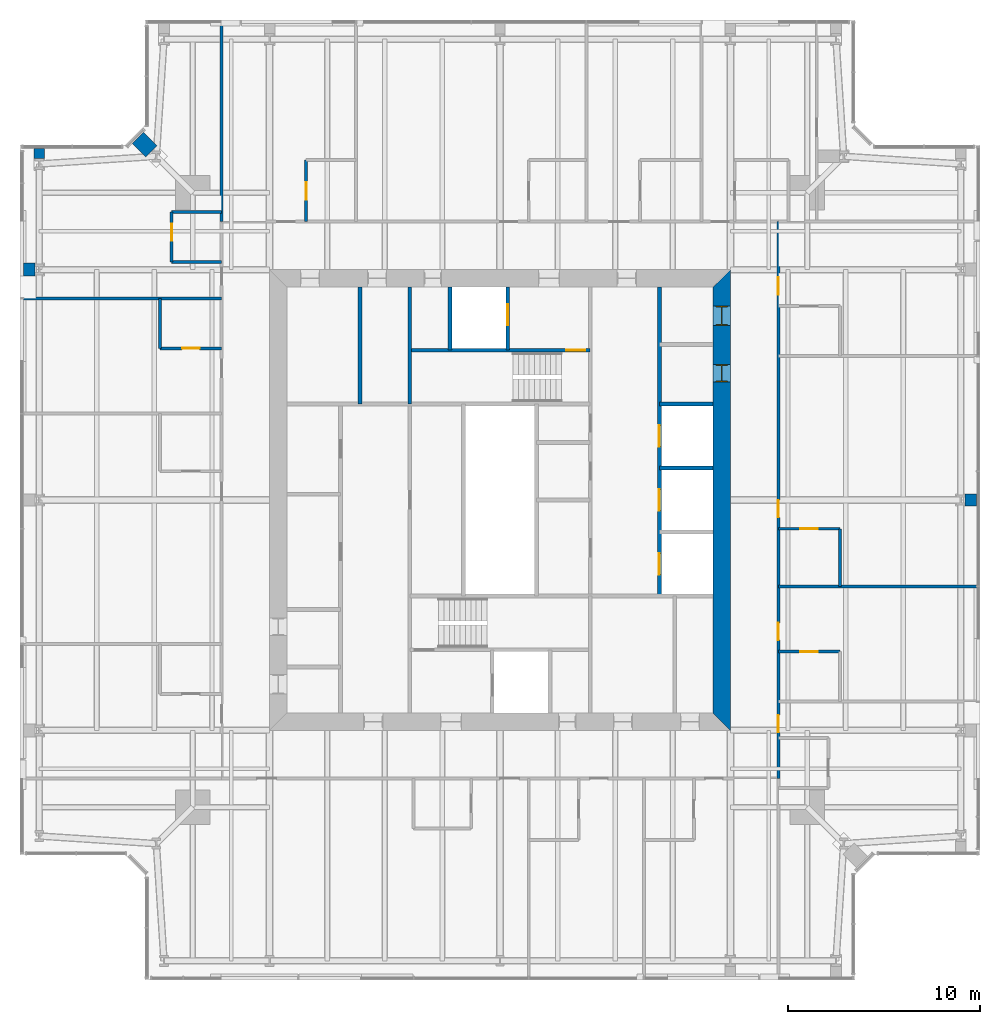
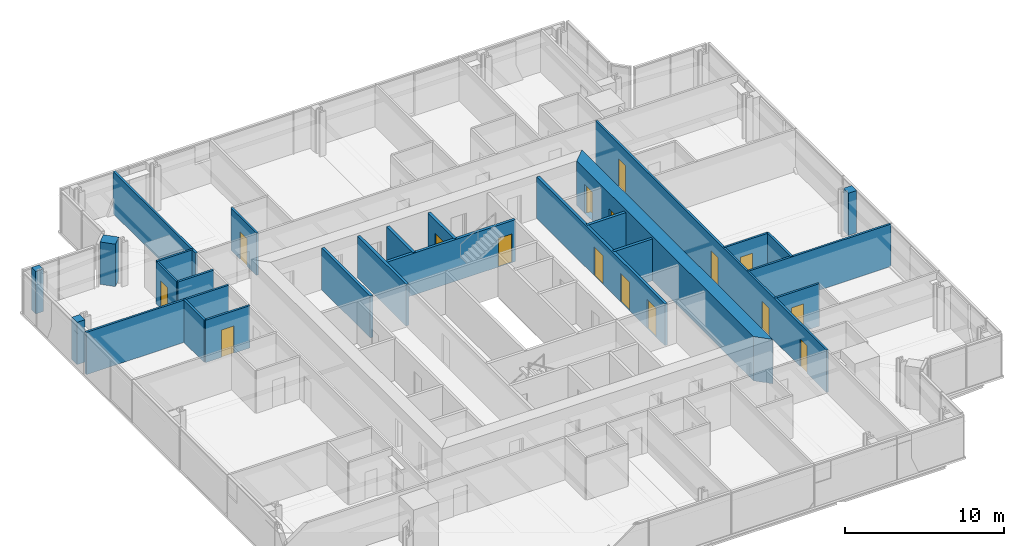
# One storey, part 13 of 18: 26 walls, 16 doors, 16 openings.
"""IFC4 building model written with IfcOpenShell, lengths in metres."""

from ifc_helpers import new_model, si_unit, direction, frame, frame_2d, origin, place, context, subcontext, project, spatial, polyline, rectangle, outline, extrude, material, layer, layer_set, type_object, element, fill, save


model = new_model("IFC4")

# Units and contexts
model_context = context("Model", 3, precision=1e-05, world=origin(), true_north=direction((0.0, 1.0)))
body_context = subcontext(model_context, "Body", "Model", "MODEL_VIEW")
ifc_project = project(units=[si_unit("LENGTHUNIT", "METRE"), si_unit("AREAUNIT", "SQUARE_METRE"), si_unit("VOLUMEUNIT", "CUBIC_METRE"), si_unit("PLANEANGLEUNIT", "RADIAN"), si_unit("MASSUNIT", "GRAM", prefix="KILO")], contexts=[model_context])

# Site, building, storey
site_placement = place(None, origin())
site = spatial("IfcSite", under=ifc_project, at=site_placement, CompositionType="ELEMENT")
building_placement = place(site_placement, origin())
building = spatial("IfcBuilding", under=site, at=building_placement, Name="Fenwick Lantern Interchange", CompositionType="ELEMENT")
storey_placement = place(building_placement, frame((0.0, 0.0, 266.199951171875)))
storey = spatial("IfcBuildingStorey", under=building, at=storey_placement, Name="L63", CompositionType="ELEMENT", Elevation=266.199951171875)

# Walls
ifc_material_1 = material(Name="Fire-rated gypsum board encasement on steel studs, 2 hour", Category="steel")
ifc_layer_1 = layer(ifc_material_1, 0.554931640625)
ifc_layer_set_1 = layer_set([ifc_layer_1], Name="COLUMN PIER 555")
wall_type_1 = type_object("IfcWallType", Name="COLUMN PIER 555", PredefinedType="PARTITIONING", material=ifc_layer_set_1)
wall_1_placement = place(storey_placement, frame((1.0, 43.31005859375, 0.0), z_axis=(0.0, 0.0, 1.0), x_axis=(0.0, -1.0, 0.0)))
element("IfcWall", 1, at=wall_1_placement, inside=storey, type_object=wall_type_1, Name="L63/W/PIER/CW1", PredefinedType="PARTITIONING", context=body_context, shape_type="SweptSolid", body=[
    extrude(rectangle(XDim=0.525634765625, YDim=0.554931640625, at=frame_2d((0.2626953125, 0.0))), origin(), (0.0, 0.0, 1.0), 3.25),
])
ifc_layer_2 = layer(ifc_material_1, 0.631103515625)
ifc_layer_set_2 = layer_set([ifc_layer_2], Name="COLUMN PIER 631")
wall_type_2 = type_object("IfcWallType", Name="COLUMN PIER 631", PredefinedType="PARTITIONING", material=ifc_layer_set_2)
wall_2_placement = place(storey_placement, frame((49.81005859375, 25.0, 0.0), z_axis=(0.0, 0.0, 1.0), x_axis=(-1.0, 0.0, 0.0)))
element("IfcWall", 2, at=wall_2_placement, inside=storey, type_object=wall_type_2, Name="L63/W/PIER/CE3", PredefinedType="PARTITIONING", context=body_context, shape_type="SweptSolid", body=[
    extrude(rectangle(XDim=0.589111328125, YDim=0.631103515625, at=frame_2d((0.29443359375, 0.0))), origin(), (0.0, 0.0, 1.0), 3.25),
])
ifc_layer_3 = layer(ifc_material_1, 0.6689453125)
ifc_layer_set_3 = layer_set([ifc_layer_3], Name="COLUMN PIER 669")
wall_type_3 = type_object("IfcWallType", Name="COLUMN PIER 669", PredefinedType="PARTITIONING", material=ifc_layer_set_3)
wall_3_placement = place(storey_placement, frame((0.18994140625, 37.0, 0.0), z_axis=(0.0, 0.0, 1.0), x_axis=(1.0, 0.0, 0.0)))
element("IfcWall", 3, at=wall_3_placement, inside=storey, type_object=wall_type_3, Name="L63/W/PIER/CW2", PredefinedType="PARTITIONING", context=body_context, shape_type="SweptSolid", body=[
    extrude(rectangle(XDim=0.582763671875, YDim=0.6689453125, at=frame_2d((0.29150390625, 0.0))), origin(), (0.0, 0.0, 1.0), 3.25),
])
ifc_layer_4 = layer(ifc_material_1, 0.823974609375)
ifc_layer_set_4 = layer_set([ifc_layer_4], Name="COLUMN PIER 824")
wall_type_4 = type_object("IfcWallType", Name="COLUMN PIER 824", PredefinedType="PARTITIONING", material=ifc_layer_set_4)
wall_4_placement = place(storey_placement, frame((6.13427734375, 43.86572265625, 0.0), z_axis=(0.0, 0.0, 1.0), x_axis=(0.707106781187, -0.707106781187, 0.0)))
element("IfcWall", 4, at=wall_4_placement, inside=storey, type_object=wall_type_4, Name="L63/W/PIER/CNR", PredefinedType="PARTITIONING", context=body_context, shape_type="SweptSolid", body=[
    extrude(rectangle(XDim=1.003662109375, YDim=0.823974609375, at=frame_2d((0.501953125, 0.0))), origin(), (0.0, 0.0, 1.0), 3.25),
])

# Wall, openings, doors
ifc_material_2 = material(Name="Concrete masonry ASTM C90 Grade N", Category="masonry")
ifc_layer_5 = layer(ifc_material_2, 0.199951171875)
ifc_layer_set_5 = layer_set([ifc_layer_5], Name="Concrete masonry ASTM C90 Grade N")
wall_type_5 = type_object("IfcWallType", Name="CORE PARTITION 200", PredefinedType="PARTITIONING", material=ifc_layer_set_5)
wall_5_placement = place(storey_placement, frame((33.300048828125, 36.10009765625, 0.0), z_axis=(0.0, 0.0, 1.0), x_axis=(0.0, -1.0, 0.0)))
wall_5 = element("IfcWall", 5, at=wall_5_placement, inside=storey, type_object=wall_type_5, Name="L63/W/COREN/a", PredefinedType="PARTITIONING", context=body_context, shape_type="SweptSolid", body=[
    extrude(rectangle(XDim=16.10009765625, YDim=0.199951171875, at=frame_2d((8.050048828125, 0.0))), origin(), (0.0, 0.0, 1.0), 3.199951171875),
])
opening_1_placement = place(wall_5_placement, frame((7.216552734375, 0.0, 0.0)))
opening_1 = element("IfcOpeningElement", 6, at=opening_1_placement, cuts=wall_5, Name="Opening LD-E1-1", PredefinedType="OPENING", context=body_context, shape_type="SweptSolid", body=[
    extrude(rectangle(XDim=1.10009765625, YDim=2.199951171875, at=frame_2d((0.550048828125, 1.10009765625))), frame((0.0, 0.10986328125, 0.0), z_axis=(0.0, -1.0, 0.0), x_axis=(1.0, 0.0, 0.0)), (0.0, 0.0, 1.0), 0.219970703125),
])
opening_2_placement = place(wall_5_placement, frame((10.550048828125, 0.0, 0.0)))
opening_2 = element("IfcOpeningElement", 7, at=opening_2_placement, cuts=wall_5, Name="Opening LD-E1-2", PredefinedType="OPENING", context=body_context, shape_type="SweptSolid", body=[
    extrude(rectangle(XDim=1.10009765625, YDim=2.199951171875, at=frame_2d((0.550048828125, 1.10009765625))), frame((0.0, 0.10986328125, 0.0), z_axis=(0.0, -1.0, 0.0), x_axis=(1.0, 0.0, 0.0)), (0.0, 0.0, 1.0), 0.219970703125),
])
opening_3_placement = place(wall_5_placement, frame((13.88330078125, 0.0, 0.0)))
opening_3 = element("IfcOpeningElement", 8, at=opening_3_placement, cuts=wall_5, Name="Opening LD-E1-3", PredefinedType="OPENING", context=body_context, shape_type="SweptSolid", body=[
    extrude(rectangle(XDim=1.10009765625, YDim=2.199951171875, at=frame_2d((0.550048828125, 1.10009765625))), frame((0.0, 0.10986328125, 0.0), z_axis=(0.0, -1.0, 0.0), x_axis=(1.0, 0.0, 0.0)), (0.0, 0.0, 1.0), 0.219970703125),
])
ifc_material_3 = material(Name="Steel door and frame", Category="steel")
door_type_1 = type_object("IfcDoorType", Name="LIFT LANDING DOOR 1100 X 2200", OperationType="DOUBLE_DOOR_SLIDING", PredefinedType="DOOR", material=ifc_material_3)
door_1_placement = place(opening_1_placement, origin())
door_1 = element("IfcDoor", 9, at=door_1_placement, inside=storey, type_object=door_type_1, Name="Lift landing door E1-1", OperationType="DOUBLE_DOOR_SLIDING", OverallHeight=2.199951171875, OverallWidth=1.10009765625, PredefinedType="DOOR", context=body_context, shape_type="SweptSolid", body=[
    extrude(rectangle(XDim=1.10009765625, YDim=2.199951171875, at=frame_2d((0.550048828125, 1.10009765625))), frame((0.0, 0.02490234375, 0.0), z_axis=(0.0, -1.0, 0.0), x_axis=(1.0, 0.0, 0.0)), (0.0, 0.0, 1.0), 0.050048828125),
])
fill(opening_1, door_1)
door_2_placement = place(opening_2_placement, origin())
door_2 = element("IfcDoor", 10, at=door_2_placement, inside=storey, type_object=door_type_1, Name="Lift landing door E1-2", OperationType="DOUBLE_DOOR_SLIDING", OverallHeight=2.199951171875, OverallWidth=1.10009765625, PredefinedType="DOOR", context=body_context, shape_type="SweptSolid", body=[
    extrude(rectangle(XDim=1.10009765625, YDim=2.199951171875, at=frame_2d((0.550048828125, 1.10009765625))), frame((0.0, 0.02490234375, 0.0), z_axis=(0.0, -1.0, 0.0), x_axis=(1.0, 0.0, 0.0)), (0.0, 0.0, 1.0), 0.050048828125),
])
fill(opening_2, door_2)
door_3_placement = place(opening_3_placement, origin())
door_3 = element("IfcDoor", 11, at=door_3_placement, inside=storey, type_object=door_type_1, Name="Lift landing door E1-3", OperationType="DOUBLE_DOOR_SLIDING", OverallHeight=2.199951171875, OverallWidth=1.10009765625, PredefinedType="DOOR", context=body_context, shape_type="SweptSolid", body=[
    extrude(rectangle(XDim=1.10009765625, YDim=2.199951171875, at=frame_2d((0.550048828125, 1.10009765625))), frame((0.0, 0.02490234375, 0.0), z_axis=(0.0, -1.0, 0.0), x_axis=(1.0, 0.0, 0.0)), (0.0, 0.0, 1.0), 0.050048828125),
])
fill(opening_3, door_3)

# Walls
for number, where, z_axis, x_axis, name in (
    (12, (36.10009765625, 30.0, 0.0), (0.0, 0.0, 1.0), (-1.0, 0.0, 0.0), "L63/W/COREN/c2"),
    (13, (36.10009765625, 26.666748046875, 0.0), (0.0, 0.0, 1.0), (-1.0, 0.0, 0.0), "L63/W/COREN/d1"),
):
    element("IfcWall", number, at=place(storey_placement, frame(where, z_axis=z_axis, x_axis=x_axis)), inside=storey, type_object=wall_type_5, Name=name, PredefinedType="PARTITIONING", context=body_context, shape_type="SweptSolid", body=[
        extrude(rectangle(XDim=2.800048828125, YDim=0.199951171875, at=frame_2d((1.39990234375, 0.0))), origin(), (0.0, 0.0, 1.0), 3.199951171875),
    ])

# Wall, opening, door
wall_6_placement = place(storey_placement, frame((25.39990234375, 36.10009765625, 0.0), z_axis=(0.0, 0.0, 1.0), x_axis=(0.0, -1.0, 0.0)))
wall_6 = element("IfcWall", 14, at=wall_6_placement, inside=storey, type_object=wall_type_5, Name="L63/W/COREN/h1", PredefinedType="PARTITIONING", context=body_context, shape_type="SweptSolid", body=[
    extrude(rectangle(XDim=3.300048828125, YDim=0.199951171875, at=frame_2d((1.64990234375, 0.0))), origin(), (0.0, 0.0, 1.0), 3.199951171875),
])
opening_4_placement = place(wall_6_placement, frame((0.89990234375, 0.0, 0.0)))
opening_4 = element("IfcOpeningElement", 15, at=opening_4_placement, cuts=wall_6, Name="Opening LD-FL2", PredefinedType="OPENING", context=body_context, shape_type="SweptSolid", body=[
    extrude(rectangle(XDim=1.10009765625, YDim=2.199951171875, at=frame_2d((0.550048828125, 1.10009765625))), frame((0.0, 0.10986328125, 0.0), z_axis=(0.0, -1.0, 0.0), x_axis=(1.0, 0.0, 0.0)), (0.0, 0.0, 1.0), 0.219970703125),
])
door_4_placement = place(opening_4_placement, origin())
door_4 = element("IfcDoor", 16, at=door_4_placement, inside=storey, type_object=door_type_1, Name="Lift landing door FL2", OperationType="DOUBLE_DOOR_SLIDING", OverallHeight=2.199951171875, OverallWidth=1.10009765625, PredefinedType="DOOR", context=body_context, shape_type="SweptSolid", body=[
    extrude(rectangle(XDim=1.10009765625, YDim=2.199951171875, at=frame_2d((0.550048828125, 1.10009765625))), frame((0.0, 0.02490234375, 0.0), z_axis=(0.0, -1.0, 0.0), x_axis=(1.0, 0.0, 0.0)), (0.0, 0.0, 1.0), 0.050048828125),
])
fill(opening_4, door_4)

# Walls
wall_7_placement = place(storey_placement, frame((22.39990234375, 36.10009765625, 0.0), z_axis=(0.0, 0.0, 1.0), x_axis=(0.0, -1.0, 0.0)))
element("IfcWall", 17, at=wall_7_placement, inside=storey, type_object=wall_type_5, Name="L63/W/COREN/h2", PredefinedType="PARTITIONING", context=body_context, shape_type="SweptSolid", body=[
    extrude(rectangle(XDim=3.300048828125, YDim=0.199951171875, at=frame_2d((1.64990234375, 0.0))), origin(), (0.0, 0.0, 1.0), 3.199951171875),
])
wall_8_placement = place(storey_placement, frame((17.699951171875, 36.10009765625, 0.0), z_axis=(0.0, 0.0, 1.0), x_axis=(0.0, -1.0, 0.0)))
element("IfcWall", 18, at=wall_8_placement, inside=storey, type_object=wall_type_5, Name="L63/W/COREN/i2", PredefinedType="PARTITIONING", context=body_context, shape_type="SweptSolid", body=[
    extrude(rectangle(XDim=6.10009765625, YDim=0.199951171875, at=frame_2d((3.050048828125, 0.0))), origin(), (0.0, 0.0, 1.0), 3.199951171875),
])

# Wall, openings, doors
ifc_material_4 = material(Name="Concrete f'c 70 MPa", Category="concrete")
ifc_layer_6 = layer(ifc_material_4, 0.89990234375)
ifc_layer_set_6 = layer_set([ifc_layer_6], Name="CORE WALL 900")
wall_type_6 = type_object("IfcWallType", Name="CORE WALL 900", PredefinedType="SHEAR", material=ifc_layer_set_6)
wall_9_placement = place(storey_placement, frame((36.550048828125, 13.89990234375, 0.0), z_axis=(0.0, 0.0, 1.0), x_axis=(0.0, 1.0, 0.0)))
wall_9 = element("IfcWall", 19, at=wall_9_placement, inside=storey, type_object=wall_type_6, Name="L63/CORE/E", PredefinedType="SHEAR", context=body_context, shape_type="SweptSolid", body=[
    extrude(outline(polyline([(-0.89990234375, -0.449951171875), (23.10009765625, -0.449951171875), (22.199951171875, 0.449951171875), (0.0, 0.449951171875), (-0.89990234375, -0.449951171875)])), origin(), (0.0, 0.0, 1.0), 3.400146484375),
])
opening_5_placement = place(wall_9_placement, frame((20.199951171875, 0.0, 0.0)))
opening_5 = element("IfcOpeningElement", 20, at=opening_5_placement, cuts=wall_9, Name="Opening L63-D018", PredefinedType="OPENING", context=body_context, shape_type="SweptSolid", body=[
    extrude(rectangle(XDim=1.0, YDim=2.199951171875, at=frame_2d((0.5, 1.10009765625))), frame((0.0, 0.4599609375, 0.0), z_axis=(0.0, -1.0, 0.0), x_axis=(1.0, 0.0, 0.0)), (0.0, 0.0, 1.0), 0.919921875),
])
opening_6_placement = place(wall_9_placement, frame((17.25, 0.0, 0.0)))
opening_6 = element("IfcOpeningElement", 21, at=opening_6_placement, cuts=wall_9, Name="Opening L63-D019", PredefinedType="OPENING", context=body_context, shape_type="SweptSolid", body=[
    extrude(rectangle(XDim=0.89990234375, YDim=2.199951171875, at=frame_2d((0.449951171875, 1.10009765625))), frame((0.0, 0.4599609375, 0.0), z_axis=(0.0, -1.0, 0.0), x_axis=(1.0, 0.0, 0.0)), (0.0, 0.0, 1.0), 0.919921875),
])
door_type_2 = type_object("IfcDoorType", Name="SERVICE DOOR 900 X 2200", OperationType="SINGLE_SWING_LEFT", PredefinedType="DOOR", material=ifc_material_3)
door_5_placement = place(opening_6_placement, origin())
door_5 = element("IfcDoor", 22, at=door_5_placement, inside=storey, type_object=door_type_2, Name="Service door", OperationType="SINGLE_SWING_RIGHT", OverallHeight=2.199951171875, OverallWidth=0.89990234375, PredefinedType="DOOR", context=body_context, shape_type="SweptSolid", body=[
    extrude(rectangle(XDim=0.89990234375, YDim=2.199951171875, at=frame_2d((0.449951171875, 1.10009765625))), frame((0.0, 0.02490234375, 0.0), z_axis=(0.0, -1.0, 0.0), x_axis=(1.0, 0.0, 0.0)), (0.0, 0.0, 1.0), 0.050048828125),
    extrude(outline(polyline([(0.0, 0.0), (0.0400390625, 0.0), (0.0400390625, 2.159912109375), (0.85986328125, 2.159912109375), (0.85986328125, 0.0), (0.89990234375, 0.0), (0.89990234375, 2.199951171875), (0.0, 2.199951171875), (0.0, 0.0)])), frame((0.0, 0.300048828125, 0.0), z_axis=(0.0, -1.0, 0.0), x_axis=(1.0, 0.0, 0.0)), (0.0, 0.0, 1.0), 0.60009765625),
])
fill(opening_6, door_5)
ifc_material_5 = material(Name="Hardwood door and steel frame", Category="steel")
door_type_3 = type_object("IfcDoorType", Name="WC DOOR 1000 X 2200", OperationType="SINGLE_SWING_LEFT", PredefinedType="DOOR", material=ifc_material_5)
door_6_placement = place(opening_5_placement, origin())
door_6 = element("IfcDoor", 23, at=door_6_placement, inside=storey, type_object=door_type_3, Name="Wc door", OperationType="SINGLE_SWING_LEFT", OverallHeight=2.199951171875, OverallWidth=1.0, PredefinedType="DOOR", context=body_context, shape_type="SweptSolid", body=[
    extrude(rectangle(XDim=1.0, YDim=2.199951171875, at=frame_2d((0.5, 1.10009765625))), frame((0.0, 0.02490234375, 0.0), z_axis=(0.0, -1.0, 0.0), x_axis=(1.0, 0.0, 0.0)), (0.0, 0.0, 1.0), 0.050048828125),
    extrude(outline(polyline([(0.0, 0.0), (0.0400390625, 0.0), (0.0400390625, 2.159912109375), (0.9599609375, 2.159912109375), (0.9599609375, 0.0), (1.0, 0.0), (1.0, 2.199951171875), (0.0, 2.199951171875), (0.0, 0.0)])), frame((0.0, 0.300048828125, 0.0), z_axis=(0.0, -1.0, 0.0), x_axis=(1.0, 0.0, 0.0)), (0.0, 0.0, 1.0), 0.60009765625),
])
fill(opening_5, door_6)

ifc_material_6 = material(Name="Gypsum board on steel studs, 1 hour", Category="steel")
ifc_layer_7 = layer(ifc_material_6, 0.14990234375)
ifc_layer_set_7 = layer_set([ifc_layer_7], Name="CORRIDOR WALL 150")
wall_type_7 = type_object("IfcWallType", Name="CORRIDOR WALL 150", PredefinedType="PARTITIONING", material=ifc_layer_set_7)
wall_10_placement = place(storey_placement, frame((39.5, 10.5, 0.0), z_axis=(0.0, 0.0, 1.0), x_axis=(0.0, 1.0, 0.0)))
wall_10 = element("IfcWall", 24, at=wall_10_placement, inside=storey, type_object=wall_type_7, Name="L63/W/HOTEL/E/CW", PredefinedType="PARTITIONING", context=body_context, shape_type="SweptSolid", body=[
    extrude(rectangle(XDim=29.0, YDim=0.14990234375, at=frame_2d((14.5, 0.0))), origin(), (0.0, 0.0, 1.0), 3.25),
])
opening_7_placement = place(wall_10_placement, frame((2.39990234375, 0.0, 0.0)))
opening_7 = element("IfcOpeningElement", 25, at=opening_7_placement, cuts=wall_10, Name="Opening L63-D030", PredefinedType="OPENING", context=body_context, shape_type="SweptSolid", body=[
    extrude(rectangle(XDim=0.89990234375, YDim=2.10009765625, at=frame_2d((0.449951171875, 1.050048828125))), frame((0.0, 0.0849609375, 0.0), z_axis=(0.0, -1.0, 0.0), x_axis=(1.0, 0.0, 0.0)), (0.0, 0.0, 1.0), 0.169921875),
])
opening_8_placement = place(wall_10_placement, frame((7.199951171875, 0.0, 0.0)))
opening_8 = element("IfcOpeningElement", 26, at=opening_8_placement, cuts=wall_10, Name="Opening L63-D033", PredefinedType="OPENING", context=body_context, shape_type="SweptSolid", body=[
    extrude(rectangle(XDim=0.89990234375, YDim=2.10009765625, at=frame_2d((0.449951171875, 1.050048828125))), frame((0.0, 0.0849609375, 0.0), z_axis=(0.0, -1.0, 0.0), x_axis=(1.0, 0.0, 0.0)), (0.0, 0.0, 1.0), 0.169921875),
])
opening_9_placement = place(wall_10_placement, frame((13.60009765625, 0.0, 0.0)))
opening_9 = element("IfcOpeningElement", 27, at=opening_9_placement, cuts=wall_10, Name="Opening L63-D035", PredefinedType="OPENING", context=body_context, shape_type="SweptSolid", body=[
    extrude(rectangle(XDim=0.89990234375, YDim=2.10009765625, at=frame_2d((0.449951171875, 1.050048828125))), frame((0.0, 0.0849609375, 0.0), z_axis=(0.0, -1.0, 0.0), x_axis=(1.0, 0.0, 0.0)), (0.0, 0.0, 1.0), 0.169921875),
])
opening_10_placement = place(wall_10_placement, frame((25.199951171875, 0.0, 0.0)))
opening_10 = element("IfcOpeningElement", 28, at=opening_10_placement, cuts=wall_10, Name="Opening L63-D037", PredefinedType="OPENING", context=body_context, shape_type="SweptSolid", body=[
    extrude(rectangle(XDim=0.89990234375, YDim=2.10009765625, at=frame_2d((0.449951171875, 1.050048828125))), frame((0.0, 0.0849609375, 0.0), z_axis=(0.0, -1.0, 0.0), x_axis=(1.0, 0.0, 0.0)), (0.0, 0.0, 1.0), 0.169921875),
])
door_type_4 = type_object("IfcDoorType", Name="GUEST ROOM DOOR 900 X 2100", OperationType="SINGLE_SWING_LEFT", PredefinedType="DOOR", material=ifc_material_3)
door_7_placement = place(opening_7_placement, frame((0.89990234375, 0.0, 0.0), z_axis=(0.0, 0.0, 1.0), x_axis=(-1.0, 0.0, 0.0)))
door_7 = element("IfcDoor", 29, at=door_7_placement, inside=storey, type_object=door_type_4, Name="Guest room door", OperationType="SINGLE_SWING_RIGHT", OverallHeight=2.10009765625, OverallWidth=0.89990234375, PredefinedType="DOOR", context=body_context, shape_type="SweptSolid", body=[
    extrude(rectangle(XDim=0.89990234375, YDim=2.10009765625, at=frame_2d((0.449951171875, 1.050048828125))), frame((0.0, 0.02490234375, 0.0), z_axis=(0.0, -1.0, 0.0), x_axis=(1.0, 0.0, 0.0)), (0.0, 0.0, 1.0), 0.050048828125),
])
fill(opening_7, door_7)
door_8_placement = place(opening_8_placement, frame((0.89990234375, 0.0, 0.0), z_axis=(0.0, 0.0, 1.0), x_axis=(-1.0, 0.0, 0.0)))
door_8 = element("IfcDoor", 30, at=door_8_placement, inside=storey, type_object=door_type_4, Name="Guest room door", OperationType="SINGLE_SWING_RIGHT", OverallHeight=2.10009765625, OverallWidth=0.89990234375, PredefinedType="DOOR", context=body_context, shape_type="SweptSolid", body=[
    extrude(rectangle(XDim=0.89990234375, YDim=2.10009765625, at=frame_2d((0.449951171875, 1.050048828125))), frame((0.0, 0.02490234375, 0.0), z_axis=(0.0, -1.0, 0.0), x_axis=(1.0, 0.0, 0.0)), (0.0, 0.0, 1.0), 0.050048828125),
])
fill(opening_8, door_8)
door_9_placement = place(opening_9_placement, frame((0.89990234375, 0.0, 0.0), z_axis=(0.0, 0.0, 1.0), x_axis=(-1.0, 0.0, 0.0)))
door_9 = element("IfcDoor", 31, at=door_9_placement, inside=storey, type_object=door_type_4, Name="Guest room door", OperationType="SINGLE_SWING_RIGHT", OverallHeight=2.10009765625, OverallWidth=0.89990234375, PredefinedType="DOOR", context=body_context, shape_type="SweptSolid", body=[
    extrude(rectangle(XDim=0.89990234375, YDim=2.10009765625, at=frame_2d((0.449951171875, 1.050048828125))), frame((0.0, 0.02490234375, 0.0), z_axis=(0.0, -1.0, 0.0), x_axis=(1.0, 0.0, 0.0)), (0.0, 0.0, 1.0), 0.050048828125),
])
fill(opening_9, door_9)
door_10_placement = place(opening_10_placement, frame((0.89990234375, 0.0, 0.0), z_axis=(0.0, 0.0, 1.0), x_axis=(-1.0, 0.0, 0.0)))
door_10 = element("IfcDoor", 32, at=door_10_placement, inside=storey, type_object=door_type_4, Name="Guest room door", OperationType="SINGLE_SWING_RIGHT", OverallHeight=2.10009765625, OverallWidth=0.89990234375, PredefinedType="DOOR", context=body_context, shape_type="SweptSolid", body=[
    extrude(rectangle(XDim=0.89990234375, YDim=2.10009765625, at=frame_2d((0.449951171875, 1.050048828125))), frame((0.0, 0.02490234375, 0.0), z_axis=(0.0, -1.0, 0.0), x_axis=(1.0, 0.0, 0.0)), (0.0, 0.0, 1.0), 0.050048828125),
])
fill(opening_10, door_10)

# Wall, opening, door
ifc_material_7 = material(Name="Gypsum board on steel studs, moisture resistant", Category="steel")
ifc_layer_8 = layer(ifc_material_7, 0.14990234375)
ifc_layer_set_8 = layer_set([ifc_layer_8], Name="EN-SUITE WALL 150")
wall_type_8 = type_object("IfcWallType", Name="EN-SUITE WALL 150", PredefinedType="PARTITIONING", material=ifc_layer_set_8)
wall_11_placement = place(storey_placement, frame((42.699951171875, 17.10009765625, 0.0), z_axis=(0.0, 0.0, 1.0), x_axis=(-1.0, 0.0, 0.0)))
wall_11 = element("IfcWall", 33, at=wall_11_placement, inside=storey, type_object=wall_type_8, Name="L63/W/HOTEL/E/U2BX", PredefinedType="PARTITIONING", context=body_context, shape_type="SweptSolid", body=[
    extrude(rectangle(XDim=3.199951171875, YDim=0.14990234375, at=frame_2d((1.60009765625, 0.0))), origin(), (0.0, 0.0, 1.0), 3.25),
])
opening_11_placement = place(wall_11_placement, frame((1.14990234375, 0.0, 0.0)))
opening_11 = element("IfcOpeningElement", 34, at=opening_11_placement, cuts=wall_11, Name="Opening L63-D032", PredefinedType="OPENING", context=body_context, shape_type="SweptSolid", body=[
    extrude(rectangle(XDim=0.89990234375, YDim=2.10009765625, at=frame_2d((0.449951171875, 1.050048828125))), frame((0.0, 0.0849609375, 0.0), z_axis=(0.0, -1.0, 0.0), x_axis=(1.0, 0.0, 0.0)), (0.0, 0.0, 1.0), 0.169921875),
])
door_type_5 = type_object("IfcDoorType", Name="EN-SUITE DOOR 900 X 2100", OperationType="SINGLE_SWING_LEFT", PredefinedType="DOOR", material=ifc_material_5)
door_11_placement = place(opening_11_placement, origin())
door_11 = element("IfcDoor", 35, at=door_11_placement, inside=storey, type_object=door_type_5, Name="En-suite door", OperationType="SINGLE_SWING_LEFT", OverallHeight=2.10009765625, OverallWidth=0.89990234375, PredefinedType="DOOR", context=body_context, shape_type="SweptSolid", body=[
    extrude(rectangle(XDim=0.89990234375, YDim=2.10009765625, at=frame_2d((0.449951171875, 1.050048828125))), frame((0.0, 0.02490234375, 0.0), z_axis=(0.0, -1.0, 0.0), x_axis=(1.0, 0.0, 0.0)), (0.0, 0.0, 1.0), 0.050048828125),
])
fill(opening_11, door_11)

# Wall
wall_12_placement = place(storey_placement, frame((42.699951171875, 20.5, 0.0), z_axis=(0.0, 0.0, 1.0), x_axis=(0.0, 1.0, 0.0)))
element("IfcWall", 36, at=wall_12_placement, inside=storey, type_object=wall_type_8, Name="L63/W/HOTEL/E/U3BW", PredefinedType="PARTITIONING", context=body_context, shape_type="SweptSolid", body=[
    extrude(rectangle(XDim=3.0, YDim=0.14990234375, at=frame_2d((1.5, 0.0))), origin(), (0.0, 0.0, 1.0), 3.25),
])

# Wall, opening, door
wall_13_placement = place(storey_placement, frame((42.699951171875, 23.5, 0.0), z_axis=(0.0, 0.0, 1.0), x_axis=(-1.0, 0.0, 0.0)))
wall_13 = element("IfcWall", 37, at=wall_13_placement, inside=storey, type_object=wall_type_8, Name="L63/W/HOTEL/E/U3BX", PredefinedType="PARTITIONING", context=body_context, shape_type="SweptSolid", body=[
    extrude(rectangle(XDim=3.199951171875, YDim=0.14990234375, at=frame_2d((1.60009765625, 0.0))), origin(), (0.0, 0.0, 1.0), 3.25),
])
opening_12_placement = place(wall_13_placement, frame((1.14990234375, 0.0, 0.0)))
opening_12 = element("IfcOpeningElement", 38, at=opening_12_placement, cuts=wall_13, Name="Opening L63-D034", PredefinedType="OPENING", context=body_context, shape_type="SweptSolid", body=[
    extrude(rectangle(XDim=0.89990234375, YDim=2.10009765625, at=frame_2d((0.449951171875, 1.050048828125))), frame((0.0, 0.0849609375, 0.0), z_axis=(0.0, -1.0, 0.0), x_axis=(1.0, 0.0, 0.0)), (0.0, 0.0, 1.0), 0.169921875),
])
door_12_placement = place(opening_12_placement, origin())
door_12 = element("IfcDoor", 39, at=door_12_placement, inside=storey, type_object=door_type_5, Name="En-suite door", OperationType="SINGLE_SWING_LEFT", OverallHeight=2.10009765625, OverallWidth=0.89990234375, PredefinedType="DOOR", context=body_context, shape_type="SweptSolid", body=[
    extrude(rectangle(XDim=0.89990234375, YDim=2.10009765625, at=frame_2d((0.449951171875, 1.050048828125))), frame((0.0, 0.02490234375, 0.0), z_axis=(0.0, -1.0, 0.0), x_axis=(1.0, 0.0, 0.0)), (0.0, 0.0, 1.0), 0.050048828125),
])
fill(opening_12, door_12)

wall_14_placement = place(storey_placement, frame((14.89990234375, 42.699951171875, 0.0), z_axis=(0.0, 0.0, 1.0), x_axis=(0.0, -1.0, 0.0)))
wall_14 = element("IfcWall", 40, at=wall_14_placement, inside=storey, type_object=wall_type_8, Name="L63/W/HOTEL/N/U4BX", PredefinedType="PARTITIONING", context=body_context, shape_type="SweptSolid", body=[
    extrude(rectangle(XDim=3.199951171875, YDim=0.14990234375, at=frame_2d((1.60009765625, 0.0))), origin(), (0.0, 0.0, 1.0), 3.25),
])
opening_13_placement = place(wall_14_placement, frame((1.14990234375, 0.0, 0.0)))
opening_13 = element("IfcOpeningElement", 41, at=opening_13_placement, cuts=wall_14, Name="Opening L63-D045", PredefinedType="OPENING", context=body_context, shape_type="SweptSolid", body=[
    extrude(rectangle(XDim=0.89990234375, YDim=2.10009765625, at=frame_2d((0.449951171875, 1.050048828125))), frame((0.0, 0.0849609375, 0.0), z_axis=(0.0, -1.0, 0.0), x_axis=(1.0, 0.0, 0.0)), (0.0, 0.0, 1.0), 0.169921875),
])
door_13_placement = place(opening_13_placement, origin())
door_13 = element("IfcDoor", 42, at=door_13_placement, inside=storey, type_object=door_type_5, Name="En-suite door", OperationType="SINGLE_SWING_LEFT", OverallHeight=2.10009765625, OverallWidth=0.89990234375, PredefinedType="DOOR", context=body_context, shape_type="SweptSolid", body=[
    extrude(rectangle(XDim=0.89990234375, YDim=2.10009765625, at=frame_2d((0.449951171875, 1.050048828125))), frame((0.0, 0.02490234375, 0.0), z_axis=(0.0, -1.0, 0.0), x_axis=(1.0, 0.0, 0.0)), (0.0, 0.0, 1.0), 0.050048828125),
])
fill(opening_13, door_13)

wall_15_placement = place(storey_placement, frame((7.89990234375, 40.0, 0.0), z_axis=(0.0, 0.0, 1.0), x_axis=(0.0, -1.0, 0.0)))
wall_15 = element("IfcWall", 43, at=wall_15_placement, inside=storey, type_object=wall_type_8, Name="L63/W/HOTEL/W/U1BW", PredefinedType="PARTITIONING", context=body_context, shape_type="SweptSolid", body=[
    extrude(rectangle(XDim=2.60009765625, YDim=0.14990234375, at=frame_2d((1.300048828125, 0.0))), origin(), (0.0, 0.0, 1.0), 3.25),
])
opening_14_placement = place(wall_15_placement, frame((0.60009765625, 0.0, 0.0)))
opening_14 = element("IfcOpeningElement", 44, at=opening_14_placement, cuts=wall_15, Name="Opening L63-D048", PredefinedType="OPENING", context=body_context, shape_type="SweptSolid", body=[
    extrude(rectangle(XDim=0.89990234375, YDim=2.10009765625, at=frame_2d((0.449951171875, 1.050048828125))), frame((0.0, 0.0849609375, 0.0), z_axis=(0.0, -1.0, 0.0), x_axis=(1.0, 0.0, 0.0)), (0.0, 0.0, 1.0), 0.169921875),
])
door_14_placement = place(opening_14_placement, origin())
door_14 = element("IfcDoor", 45, at=door_14_placement, inside=storey, type_object=door_type_5, Name="En-suite door", OperationType="SINGLE_SWING_LEFT", OverallHeight=2.10009765625, OverallWidth=0.89990234375, PredefinedType="DOOR", context=body_context, shape_type="SweptSolid", body=[
    extrude(rectangle(XDim=0.89990234375, YDim=2.10009765625, at=frame_2d((0.449951171875, 1.050048828125))), frame((0.0, 0.02490234375, 0.0), z_axis=(0.0, -1.0, 0.0), x_axis=(1.0, 0.0, 0.0)), (0.0, 0.0, 1.0), 0.050048828125),
])
fill(opening_14, door_14)

# Walls
for number, where, z_axis, x_axis, name in (
    (46, (7.89990234375, 40.0, 0.0), (0.0, 0.0, 1.0), (1.0, 0.0, 0.0), "L63/W/HOTEL/W/U1BX"),
    (47, (7.89990234375, 37.39990234375, 0.0), (0.0, 0.0, 1.0), (1.0, 0.0, 0.0), "L63/W/HOTEL/W/U1BE"),
    (48, (7.300048828125, 35.5, 0.0), (0.0, 0.0, 1.0), (0.0, -1.0, 0.0), "L63/W/HOTEL/W/U2BW"),
):
    element("IfcWall", number, at=place(storey_placement, frame(where, z_axis=z_axis, x_axis=x_axis)), inside=storey, type_object=wall_type_8, Name=name, PredefinedType="PARTITIONING", context=body_context, shape_type="SweptSolid", body=[
        extrude(rectangle(XDim=2.60009765625, YDim=0.14990234375, at=frame_2d((1.300048828125, 0.0))), origin(), (0.0, 0.0, 1.0), 3.25),
    ])

# Wall, opening, door
wall_16_placement = place(storey_placement, frame((7.300048828125, 32.89990234375, 0.0), z_axis=(0.0, 0.0, 1.0), x_axis=(1.0, 0.0, 0.0)))
wall_16 = element("IfcWall", 49, at=wall_16_placement, inside=storey, type_object=wall_type_8, Name="L63/W/HOTEL/W/U2BX", PredefinedType="PARTITIONING", context=body_context, shape_type="SweptSolid", body=[
    extrude(rectangle(XDim=3.199951171875, YDim=0.14990234375, at=frame_2d((1.60009765625, 0.0))), origin(), (0.0, 0.0, 1.0), 3.25),
])
opening_15_placement = place(wall_16_placement, frame((1.14990234375, 0.0, 0.0)))
opening_15 = element("IfcOpeningElement", 50, at=opening_15_placement, cuts=wall_16, Name="Opening L63-D049", PredefinedType="OPENING", context=body_context, shape_type="SweptSolid", body=[
    extrude(rectangle(XDim=0.89990234375, YDim=2.10009765625, at=frame_2d((0.449951171875, 1.050048828125))), frame((0.0, 0.0849609375, 0.0), z_axis=(0.0, -1.0, 0.0), x_axis=(1.0, 0.0, 0.0)), (0.0, 0.0, 1.0), 0.169921875),
])
door_15_placement = place(opening_15_placement, origin())
door_15 = element("IfcDoor", 51, at=door_15_placement, inside=storey, type_object=door_type_5, Name="En-suite door", OperationType="SINGLE_SWING_LEFT", OverallHeight=2.10009765625, OverallWidth=0.89990234375, PredefinedType="DOOR", context=body_context, shape_type="SweptSolid", body=[
    extrude(rectangle(XDim=0.89990234375, YDim=2.10009765625, at=frame_2d((0.449951171875, 1.050048828125))), frame((0.0, 0.02490234375, 0.0), z_axis=(0.0, -1.0, 0.0), x_axis=(1.0, 0.0, 0.0)), (0.0, 0.0, 1.0), 0.050048828125),
])
fill(opening_15, door_15)

# Walls
ifc_material_8 = material(Name="Gypsum board on steel studs, 1 hour acoustic", Category="steel")
ifc_layer_9 = layer(ifc_material_8, 0.14990234375)
ifc_layer_set_9 = layer_set([ifc_layer_9], Name="PARTY WALL 150")
wall_type_9 = type_object("IfcWallType", Name="PARTY WALL 150", PredefinedType="PARTITIONING", material=ifc_layer_set_9)
for number, where, z_axis, x_axis, name in (
    (52, (49.85009765625, 20.5, 0.0), (0.0, 0.0, 1.0), (-1.0, 0.0, 0.0), "L63/W/HOTEL/E/U3PW"),
    (53, (10.5, 49.85009765625, 0.0), (0.0, 0.0, 1.0), (0.0, -1.0, 0.0), "L63/W/HOTEL/W/SW3"),
    (54, (0.14990234375, 35.5, 0.0), (0.0, 0.0, 1.0), (1.0, 0.0, 0.0), "L63/W/HOTEL/W/U2PW"),
):
    element("IfcWall", number, at=place(storey_placement, frame(where, z_axis=z_axis, x_axis=x_axis)), inside=storey, type_object=wall_type_9, Name=name, PredefinedType="PARTITIONING", context=body_context, shape_type="SweptSolid", body=[
        extrude(rectangle(XDim=10.35009765625, YDim=0.14990234375, at=frame_2d((5.175048828125, 0.0))), origin(), (0.0, 0.0, 1.0), 3.25),
    ])

# Wall, opening, door
ifc_material_9 = material(Name="Concrete f'c 45 MPa", Category="concrete")
ifc_layer_10 = layer(ifc_material_9, 0.199951171875)
ifc_layer_set_10 = layer_set([ifc_layer_10], Name="STAIR CORE WALL 200")
wall_type_10 = type_object("IfcWallType", Name="STAIR CORE WALL 200", PredefinedType="SOLIDWALL", material=ifc_layer_set_10)
wall_17_placement = place(storey_placement, frame((29.699951171875, 32.800048828125, 0.0), z_axis=(0.0, 0.0, 1.0), x_axis=(-1.0, 0.0, 0.0)))
wall_17 = element("IfcWall", 55, at=wall_17_placement, inside=storey, type_object=wall_type_10, Name="L63/W/COREN/g1", PredefinedType="SOLIDWALL", context=body_context, shape_type="SweptSolid", body=[
    extrude(rectangle(XDim=9.39990234375, YDim=0.199951171875, at=frame_2d((4.699951171875, 0.0))), origin(), (0.0, 0.0, 1.0), 3.199951171875),
])
opening_16_placement = place(wall_17_placement, frame((0.25, 0.0, 0.0)))
opening_16 = element("IfcOpeningElement", 56, at=opening_16_placement, cuts=wall_17, Name="Opening L63-D014", PredefinedType="OPENING", context=body_context, shape_type="SweptSolid", body=[
    extrude(rectangle(XDim=1.0, YDim=2.199951171875, at=frame_2d((0.5, 1.10009765625))), frame((0.0, 0.10986328125, 0.0), z_axis=(0.0, -1.0, 0.0), x_axis=(1.0, 0.0, 0.0)), (0.0, 0.0, 1.0), 0.219970703125),
])
door_type_6 = type_object("IfcDoorType", Name="STAIR DOOR 1000 X 2200", OperationType="SINGLE_SWING_LEFT", PredefinedType="DOOR", material=ifc_material_3)
door_16_placement = place(opening_16_placement, origin())
door_16 = element("IfcDoor", 57, at=door_16_placement, inside=storey, type_object=door_type_6, Name="Stair door", OperationType="SINGLE_SWING_LEFT", OverallHeight=2.199951171875, OverallWidth=1.0, PredefinedType="DOOR", context=body_context, shape_type="SweptSolid", body=[
    extrude(rectangle(XDim=1.0, YDim=2.199951171875, at=frame_2d((0.5, 1.10009765625))), frame((0.0, 0.02490234375, 0.0), z_axis=(0.0, -1.0, 0.0), x_axis=(1.0, 0.0, 0.0)), (0.0, 0.0, 1.0), 0.050048828125),
])
fill(opening_16, door_16)

# Wall
wall_18_placement = place(storey_placement, frame((20.300048828125, 36.10009765625, 0.0), z_axis=(0.0, 0.0, 1.0), x_axis=(0.0, -1.0, 0.0)))
element("IfcWall", 58, at=wall_18_placement, inside=storey, type_object=wall_type_10, Name="L63/W/COREN/i1", PredefinedType="SOLIDWALL", context=body_context, shape_type="SweptSolid", body=[
    extrude(rectangle(XDim=6.10009765625, YDim=0.199951171875, at=frame_2d((3.050048828125, 0.0))), origin(), (0.0, 0.0, 1.0), 3.199951171875),
])

save(model, "model.ifc")
